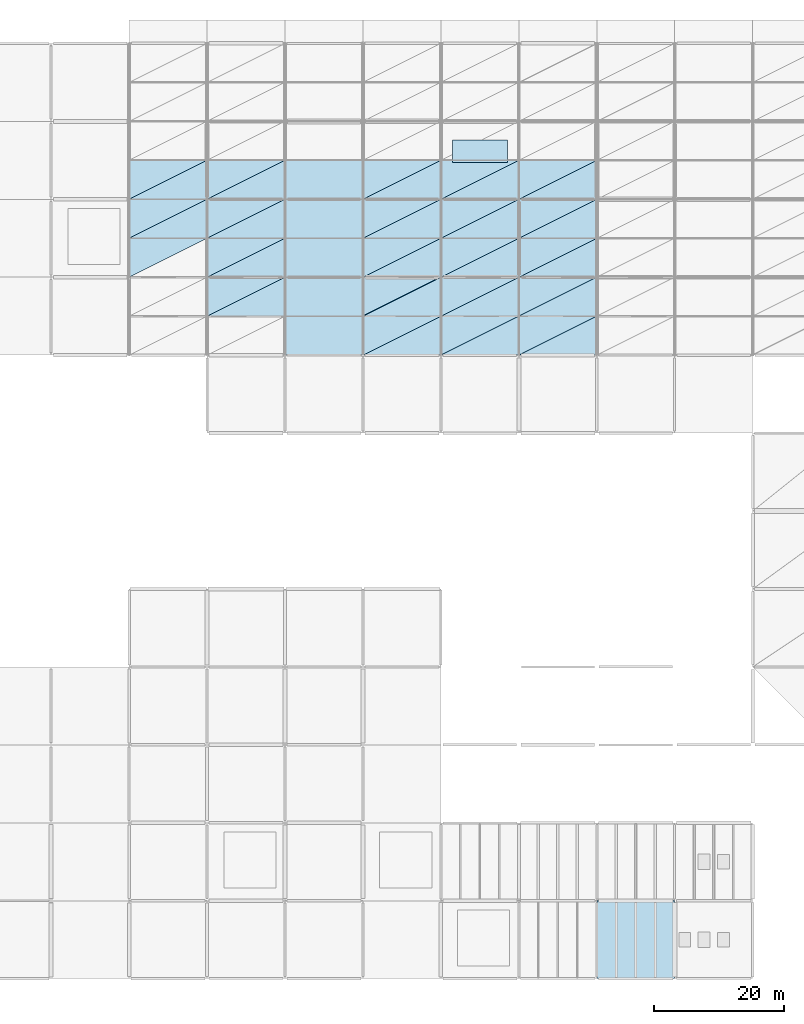
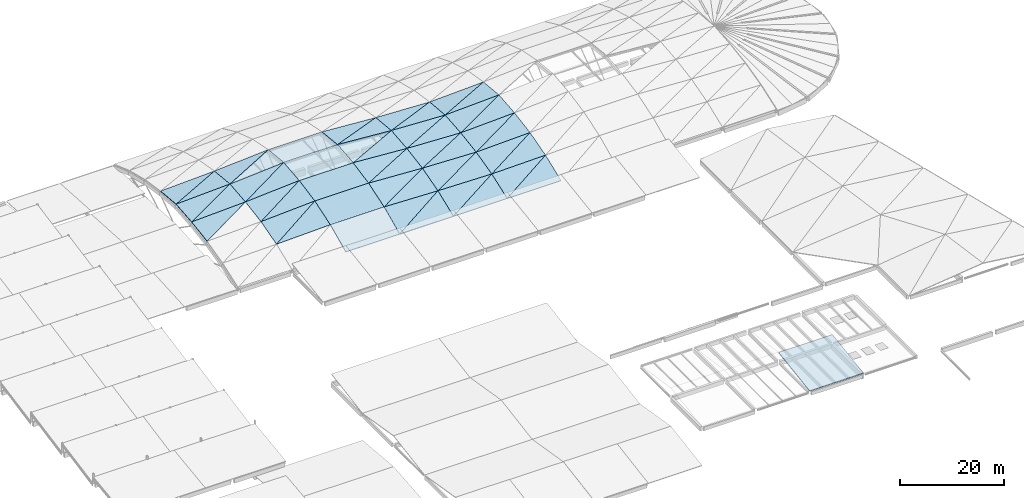
# One storey, part 19 of 23: 50 slabs, 2 elements without a shape of their own.
"""IFC4 building model written with IfcOpenShell, lengths in metres."""

from ifc_helpers import new_model, si_unit, direction, frame, origin, place, context, subcontext, project, spatial, polyline, outline, extrude, material, layer, layer_set, type_object, element, aggregate, save


model = new_model("IFC4")

# Units and contexts
model_context = context("Model", 3, precision=1e-05, world=origin(), true_north=direction((0.0, 1.0)))
body_context = subcontext(model_context, "Body", "Model", "MODEL_VIEW")
ifc_project = project(units=[si_unit("LENGTHUNIT", "METRE"), si_unit("AREAUNIT", "SQUARE_METRE"), si_unit("VOLUMEUNIT", "CUBIC_METRE"), si_unit("PLANEANGLEUNIT", "RADIAN"), si_unit("MASSUNIT", "GRAM", prefix="KILO")], contexts=[model_context])

# Site, building, storey
site_placement = place(None, origin())
site = spatial("IfcSite", under=ifc_project, at=site_placement, CompositionType="ELEMENT")
building_placement = place(site_placement, origin())
building = spatial("IfcBuilding", under=site, at=building_placement, Name="Kamomehara Wholesale Market", CompositionType="ELEMENT")
storey_placement = place(building_placement, frame((0.0, 0.0, 21.0)))
storey = spatial("IfcBuildingStorey", under=building, at=storey_placement, Name="RF", CompositionType="ELEMENT", Elevation=21.0)

# Roof, slabs
ifc_material_1 = material(Name="Concrete Fc36 (C35/45)", Category="concrete")
ifc_layer_1 = layer(ifc_material_1, 0.199951171875)
ifc_layer_set_1 = layer_set([ifc_layer_1], Name="Concrete Fc36 (C35/45)")
roof_type_1 = type_object("IfcRoofType", Name="ROOF-SYS-01", PredefinedType="BARREL_ROOF", material=ifc_layer_set_1)
roof_1_placement = place(storey_placement, origin())
roof_1 = element("IfcRoof", 1, at=roof_1_placement, inside=storey, type_object=roof_type_1, Name="V1 Wave-Barrel Concrete Shell Roof", PredefinedType="BARREL_ROOF")
ifc_material_2 = material(Name="Concrete Fc36 (C35/45)", Category="concrete")
ifc_layer_2 = layer(ifc_material_2, 0.179931640625)
ifc_layer_set_2 = layer_set([ifc_layer_2], Name="Concrete Fc36 (C35/45)")
slab_type_1 = type_object("IfcSlabType", Name="SLB-SHL-180", PredefinedType="ROOF", material=ifc_layer_set_2)
slab_1_placement = place(storey_placement, frame((60.0, 120.0, -5.012939453125), z_axis=(-0.042645327452, -0.149801258637, 0.987796010802), x_axis=(0.889403592225, 0.444701796112, 0.105837435118)))
slab_1 = element("IfcSlab", 2, at=slab_1_placement, type_object=slab_type_1, Name="Concrete shell roof facet V1 6", PredefinedType="ROOF", context=body_context, shape_type="SweptSolid", body=[
    extrude(outline(polyline([(0.0, 0.0), (13.492187466867135, -6.106226635438361e-16), (2.76451354051304, 5.402351796311244), (0.0, 0.0)])), origin(), (0.0, 0.0, -1.0), 0.179931640625),
])
slab_2_placement = place(storey_placement, frame((60.0, 126.0, -4.10302734375), z_axis=(-0.042926839379, -0.097424909731, 0.994316686687), x_axis=(0.999069381242, 0.0, 0.043132023661)))
slab_2 = element("IfcSlab", 3, at=slab_2_placement, type_object=slab_type_1, Name="Concrete shell roof facet V1 7", PredefinedType="ROOF", context=body_context, shape_type="SweptSolid", body=[
    extrude(outline(polyline([(0.0, 0.0), (12.011177827394148, 1.3877787807814457e-17), (12.036534739741843, 6.028679159978501), (0.0, 0.0)])), origin(), (0.0, 0.0, -1.0), 0.179931640625),
])
slab_3_placement = place(storey_placement, frame((60.0, 126.0, -4.10302734375), z_axis=(-0.045838837587, -0.091677675173, 0.994733132475), x_axis=(0.891403673287, 0.445701836643, 0.082154513346)))
slab_3 = element("IfcSlab", 4, at=slab_3_placement, type_object=slab_type_1, Name="Concrete shell roof facet V1 8", PredefinedType="ROOF", context=body_context, shape_type="SweptSolid", body=[
    extrude(outline(polyline([(0.0, 0.0), (13.4619144609885, -6.245004513516506e-16), (2.719640700702929, 5.376740620285018), (0.0, 0.0)])), origin(), (0.0, 0.0, -1.0), 0.179931640625),
])
slab_4_placement = place(storey_placement, frame((60.0, 132.0, -3.550048828125), z_axis=(-0.045813766695, 0.097412406359, 0.994189077524), x_axis=(0.998939933695, 0.0, 0.046032693478)))
slab_4 = element("IfcSlab", 5, at=slab_4_placement, type_object=slab_type_1, Name="Concrete shell roof facet V1 9", PredefinedType="ROOF", context=body_context, shape_type="SweptSolid", body=[
    extrude(outline(polyline([(0.0, 0.0), (12.012734294853226, 6.938893903907228e-18), (11.98567210591414, 6.028671746321301), (0.0, 0.0)])), origin(), (0.0, 0.0, -1.0), 0.179931640625),
])
slab_5_placement = place(storey_placement, frame((60.0, 132.0, -3.550048828125), z_axis=(-0.042950336479, 0.091689455348, 0.994860951276), x_axis=(0.894424162745, 0.447212081372, -0.002602186183)))
slab_5 = element("IfcSlab", 6, at=slab_5_placement, type_object=slab_type_1, Name="Concrete shell roof facet V1 10", PredefinedType="ROOF", context=body_context, shape_type="SweptSolid", body=[
    extrude(outline(polyline([(0.0, 0.0), (13.416453288979953, 2.693158196453993e-16), (2.684711441287182, 5.394266374194412), (0.0, 0.0)])), origin(), (0.0, 0.0, -1.0), 0.179931640625),
])
slab_6_placement = place(storey_placement, frame((108.0, 108.0, -8.64990234375), z_axis=(0.0, -0.333403982305, 0.942784060421), x_axis=(1.0, 0.0, 0.0)))
slab_6 = element("IfcSlab", 7, at=slab_6_placement, type_object=slab_type_1, Name="Concrete shell roof facet V1 57", PredefinedType="ROOF", context=body_context, shape_type="SweptSolid", body=[
    extrude(outline(polyline([(0.0, 0.0), (12.0, 0.0), (12.0, 6.364129657985742), (0.0, 0.0)])), origin(), (0.0, 0.0, -1.0), 0.179931640625),
])
slab_7_placement = place(storey_placement, frame((108.0, 108.0, -8.64990234375), z_axis=(0.01877406137, -0.366510556951, 0.930224460151), x_axis=(0.883447070008, 0.441723535004, 0.156210092884)))
slab_7 = element("IfcSlab", 8, at=slab_7_placement, type_object=slab_type_1, Name="Concrete shell roof facet V1 58", PredefinedType="ROOF", context=body_context, shape_type="SweptSolid", body=[
    extrude(outline(polyline([(0.0, 0.0), (13.583156713505653, -4.440892098500626e-16), (3.019624005285362, 5.698283207029668), (0.0, 0.0)])), origin(), (0.0, 0.0, -1.0), 0.179931640625),
])
slab_8_placement = place(storey_placement, frame((108.0, 114.0, -6.285888671875), z_axis=(0.019564282951, -0.244790201603, 0.969378664935), x_axis=(0.999796399748, 0.0, -0.020178182547)))
slab_8 = element("IfcSlab", 9, at=slab_8_placement, type_object=slab_type_1, Name="Concrete shell roof facet V1 59", PredefinedType="ROOF", context=body_context, shape_type="SweptSolid", body=[
    extrude(outline(polyline([(0.0, 0.0), (12.002443700561829, -1.3877787807814457e-17), (11.971870995267231, 6.188271534620592), (0.0, 0.0)])), origin(), (0.0, 0.0, -1.0), 0.179931640625),
])
slab_9_placement = place(storey_placement, frame((108.0, 114.0, -6.285888671875), z_axis=(0.033275667811, -0.270668196763, 0.96209742604), x_axis=(0.890428254859, 0.44521412743, 0.094455829281)))
slab_9 = element("IfcSlab", 10, at=slab_9_placement, type_object=slab_type_1, Name="Concrete shell roof facet V1 60", PredefinedType="ROOF", context=body_context, shape_type="SweptSolid", body=[
    extrude(outline(polyline([(0.0, 0.0), (13.47666129697991, 4.440892098500626e-16), (2.8307250975006237, 5.553044197556635), (0.0, 0.0)])), origin(), (0.0, 0.0, -1.0), 0.179931640625),
])
slab_10_placement = place(storey_placement, frame((108.0, 120.0, -4.597900390625), z_axis=(0.034175627197, -0.149850073603, 0.988117898809), x_axis=(0.999402420026, 0.0, -0.034565920289)))
slab_10 = element("IfcSlab", 11, at=slab_10_placement, type_object=slab_type_1, Name="Concrete shell roof facet V1 61", PredefinedType="ROOF", context=body_context, shape_type="SweptSolid", body=[
    extrude(outline(polyline([(0.0, 0.0), (12.007175247467694, 1.3877787807814457e-17), (11.975723298025043, 6.068521304375845), (0.0, 0.0)])), origin(), (0.0, 0.0, -1.0), 0.179931640625),
])
slab_11_placement = place(storey_placement, frame((108.0, 120.0, -4.597900390625), z_axis=(0.042531295358, -0.166317007011, 0.985154679273), x_axis=(0.893819353892, 0.446909676946, 0.036860592251)))
slab_11 = element("IfcSlab", 12, at=slab_11_placement, type_object=slab_type_1, Name="Concrete shell roof facet V1 62", PredefinedType="ROOF", context=body_context, shape_type="SweptSolid", body=[
    extrude(outline(polyline([(0.0, 0.0), (13.42553162197026, 0.0), (2.7187956098315857, 5.44373004176894), (0.0, 0.0)])), origin(), (0.0, 0.0, -1.0), 0.179931640625),
])
slab_12_placement = place(storey_placement, frame((108.0, 126.0, -3.5849609375), z_axis=(0.042950336479, -0.091689455348, 0.994860951276), x_axis=(0.999069381242, 0.0, -0.043132023661)))
slab_12 = element("IfcSlab", 13, at=slab_12_placement, type_object=slab_type_1, Name="Concrete shell roof facet V1 63", PredefinedType="ROOF", context=body_context, shape_type="SweptSolid", body=[
    extrude(outline(polyline([(0.0, 0.0), (12.011177827394148, -6.938893903907228e-18), (11.987326744974077, 6.025381014061287), (0.0, 0.0)])), origin(), (0.0, 0.0, -1.0), 0.179931640625),
])
slab_13_placement = place(storey_placement, frame((108.0, 126.0, -3.5849609375), z_axis=(0.045813766695, -0.097412406359, 0.994189077524), x_axis=(0.894424162745, 0.447212081372, 0.002602186183)))
slab_13 = element("IfcSlab", 14, at=slab_13_placement, type_object=slab_type_1, Name="Concrete shell roof facet V1 64", PredefinedType="ROOF", context=body_context, shape_type="SweptSolid", body=[
    extrude(outline(polyline([(0.0, 0.0), (13.416453288979953, -4.809520837145698e-16), (2.684802289095821, 5.397911823606304), (0.0, 0.0)])), origin(), (0.0, 0.0, -1.0), 0.179931640625),
])
slab_14_placement = place(storey_placement, frame((108.0, 132.0, -2.9970703125), z_axis=(0.045838837587, 0.091677675173, 0.994733132475), x_axis=(0.998939933695, 0.0, -0.046032693478)))
slab_14 = element("IfcSlab", 15, at=slab_14_placement, type_object=slab_type_1, Name="Concrete shell roof facet V1 65", PredefinedType="ROOF", context=body_context, shape_type="SweptSolid", body=[
    extrude(outline(polyline([(0.0, 0.0), (12.012734294853226, 0.0), (12.03818938536279, 6.025374451194713), (0.0, 0.0)])), origin(), (0.0, 0.0, -1.0), 0.179931640625),
])
slab_15_placement = place(storey_placement, frame((108.0, 132.0, -2.9970703125), z_axis=(0.042926839379, 0.097424909731, 0.994316686687), x_axis=(0.891403673287, 0.445701836643, -0.082154513346)))
slab_15 = element("IfcSlab", 16, at=slab_15_placement, type_object=slab_type_1, Name="Concrete shell roof facet V1 66", PredefinedType="ROOF", context=body_context, shape_type="SweptSolid", body=[
    extrude(outline(polyline([(0.0, 0.0), (13.4619144609885, -1.5265566588595902e-16), (2.7225088880585195, 5.378992539630935), (0.0, 0.0)])), origin(), (0.0, 0.0, -1.0), 0.179931640625),
])
ifc_material_3 = material(Name="Concrete Fc36 (C35/45)", Category="concrete")
ifc_layer_3 = layer(ifc_material_3, 0.195068359375)
ifc_layer_set_3 = layer_set([ifc_layer_3], Name="Concrete Fc36 (C35/45)")
slab_type_2 = type_object("IfcSlabType", Name="SLB-SHL-195", PredefinedType="ROOF", material=ifc_layer_set_3)
slab_16_placement = place(storey_placement, frame((72.0, 114.0, -6.285888671875), z_axis=(-0.030935241972, -0.311516534082, 0.949737047712), x_axis=(0.999469940198, 0.0, 0.03255516305)))
slab_16 = element("IfcSlab", 17, at=slab_16_placement, type_object=slab_type_2, Name="Concrete shell roof facet V1 19", PredefinedType="ROOF", context=body_context, shape_type="SweptSolid", body=[
    extrude(outline(polyline([(0.0, 0.0), (12.006364090976625, -1.3877787807814457e-17), (12.070433224118666, 6.314189443941908), (0.0, 0.0)])), origin(), (0.0, 0.0, -1.0), 0.195068359375),
])
slab_17_placement = place(storey_placement, frame((72.0, 114.0, -6.285888671875), z_axis=(-0.05374116883, -0.270426813168, 0.961239421524), x_axis=(0.880914944476, 0.440457472238, 0.173164880239)))
slab_17 = element("IfcSlab", 18, at=slab_17_placement, type_object=slab_type_2, Name="Concrete shell roof facet V1 20", PredefinedType="ROOF", context=body_context, shape_type="SweptSolid", body=[
    extrude(outline(polyline([(0.0, 0.0), (13.622200503292232, -6.661338147750939e-16), (2.93504512199651, 5.498619333021866), (0.0, 0.0)])), origin(), (0.0, 0.0, -1.0), 0.195068359375),
])
slab_18_placement = place(storey_placement, frame((72.0, 120.0, -4.597900390625), z_axis=(-0.054775148206, -0.192669789867, 0.979733655241), x_axis=(0.998440790708, 0.0, 0.055821030535)))
slab_18 = element("IfcSlab", 19, at=slab_18_placement, type_object=slab_type_2, Name="Concrete shell roof facet V1 21", PredefinedType="ROOF", context=body_context, shape_type="SweptSolid", body=[
    extrude(outline(polyline([(0.0, 0.0), (12.01873973066394, -2.7755575615628914e-17), (12.084604730804717, 6.114564618867352), (0.0, 0.0)])), origin(), (0.0, 0.0, -1.0), 0.195068359375),
])
slab_19_placement = place(storey_placement, frame((72.0, 120.0, -4.597900390625), z_axis=(-0.068687348331, -0.166074480319, 0.983718107572), x_axis=(0.886035871948, 0.443017935974, 0.136658486842)))
slab_19 = element("IfcSlab", 20, at=slab_19_placement, type_object=slab_type_2, Name="Concrete shell roof facet V1 22", PredefinedType="ROOF", context=body_context, shape_type="SweptSolid", body=[
    extrude(outline(polyline([(0.0, 0.0), (13.543469717103228, 8.326672684688674e-17), (2.7965343887714, 5.404205931320174), (0.0, 0.0)])), origin(), (0.0, 0.0, -1.0), 0.195068359375),
])
slab_20_placement = place(storey_placement, frame((72.0, 126.0, -3.5849609375), z_axis=(-0.069258696211, -0.106471119233, 0.991900768106), x_axis=(0.997571166828, 0.0, 0.069654627371)))
slab_20 = element("IfcSlab", 21, at=slab_20_placement, type_object=slab_type_2, Name="Concrete shell roof facet V1 23", PredefinedType="ROOF", context=body_context, shape_type="SweptSolid", body=[
    extrude(outline(polyline([(0.0, 0.0), (12.029216961193397, -1.3877787807814457e-17), (12.07407753419276, 6.0343001975860036), (0.0, 0.0)])), origin(), (0.0, 0.0, -1.0), 0.195068359375),
])
slab_21_placement = place(storey_placement, frame((72.0, 126.0, -3.5849609375), z_axis=(-0.073945504694, -0.09724782922, 0.992509406528), x_axis=(0.889020295126, 0.444510147563, 0.109789086739)))
slab_21 = element("IfcSlab", 22, at=slab_21_placement, type_object=slab_type_2, Name="Concrete shell roof facet V1 24", PredefinedType="ROOF", context=body_context, shape_type="SweptSolid", body=[
    extrude(outline(polyline([(0.0, 0.0), (13.498004562759817, -5.689893001203927e-16), (2.7316048602001257, 5.374379059453653), (0.0, 0.0)])), origin(), (0.0, 0.0, -1.0), 0.195068359375),
])
slab_22_placement = place(storey_placement, frame((72.0, 132.0, -2.9970703125), z_axis=(-0.073875619091, 0.106435763606, 0.99157138983), x_axis=(0.997236109241, 0.0, 0.074297660971)))
slab_22 = element("IfcSlab", 23, at=slab_22_placement, type_object=slab_type_2, Name="Concrete shell roof facet V1 25", PredefinedType="ROOF", context=body_context, shape_type="SweptSolid", body=[
    extrude(outline(polyline([(0.0, 0.0), (12.03325861227836, -1.3877787807814457e-17), (11.985407726135493, 6.0342772258400315), (0.0, 0.0)])), origin(), (0.0, 0.0, -1.0), 0.195068359375),
])
slab_23_placement = place(storey_placement, frame((72.0, 132.0, -2.9970703125), z_axis=(-0.069324257846, 0.097280193994, 0.992839720766), x_axis=(0.894271948928, 0.447135974464, 0.018630665603)))
slab_23 = element("IfcSlab", 24, at=slab_23_placement, type_object=slab_type_2, Name="Concrete shell roof facet V1 26", PredefinedType="ROOF", context=body_context, shape_type="SweptSolid", body=[
    extrude(outline(polyline([(0.0, 0.0), (13.418736900319645, -1.8735013540549517e-16), (2.6718630531384786, 5.404328192498715), (0.0, 0.0)])), origin(), (0.0, 0.0, -1.0), 0.195068359375),
])
slab_24_placement = place(storey_placement, frame((120.0, 108.0, -8.64990234375), z_axis=(0.0, -0.366575165173, 0.930388439459), x_axis=(1.0, 0.0, 0.0)))
slab_24 = element("IfcSlab", 25, at=slab_24_placement, type_object=slab_type_2, Name="Concrete shell roof facet V1 73", PredefinedType="ROOF", context=body_context, shape_type="SweptSolid", body=[
    extrude(outline(polyline([(0.0, 0.0), (12.0, 0.0), (12.0, 6.448919338990984), (0.0, 0.0)])), origin(), (0.0, 0.0, -1.0), 0.195068359375),
])
slab_25_placement = place(storey_placement, frame((120.0, 108.0, -8.64990234375), z_axis=(-0.019024099385, -0.333343644667, 0.942613440495), x_axis=(0.880857475286, 0.440428737643, 0.173529926212)))
slab_25 = element("IfcSlab", 26, at=slab_25_placement, type_object=slab_type_2, Name="Concrete shell roof facet V1 74", PredefinedType="ROOF", context=body_context, shape_type="SweptSolid", body=[
    extrude(outline(polyline([(0.0, 0.0), (13.623089247333438, -2.220446049250313e-16), (3.010772764898616, 5.606905890221313), (0.0, 0.0)])), origin(), (0.0, 0.0, -1.0), 0.195068359375),
])
slab_26_placement = place(storey_placement, frame((120.0, 114.0, -6.528076171875), z_axis=(-0.019424424379, -0.270767076931, 0.962448898273), x_axis=(0.999796399748, 0.0, 0.020178182547)))
slab_26 = element("IfcSlab", 27, at=slab_26_placement, type_object=slab_type_2, Name="Concrete shell roof facet V1 75", PredefinedType="ROOF", context=body_context, shape_type="SweptSolid", body=[
    extrude(outline(polyline([(0.0, 0.0), (12.002443700561829, 0.0), (12.036504236238084, 6.232827955073587), (0.0, 0.0)])), origin(), (0.0, 0.0, -1.0), 0.195068359375),
])
slab_27_placement = place(storey_placement, frame((120.0, 114.0, -6.528076171875), z_axis=(-0.033515080423, -0.244699516596, 0.969019548803), x_axis=(0.885312169823, 0.442656084911, 0.142400675753)))
slab_27 = element("IfcSlab", 28, at=slab_27_placement, type_object=slab_type_2, Name="Concrete shell roof facet V1 76", PredefinedType="ROOF", context=body_context, shape_type="SweptSolid", body=[
    extrude(outline(polyline([(0.0, 0.0), (13.554540882911677, 4.996003610813204e-16), (2.8716930020762463, 5.481698512170369), (0.0, 0.0)])), origin(), (0.0, 0.0, -1.0), 0.195068359375),
])
slab_28_placement = place(storey_placement, frame((120.0, 120.0, -5.012939453125), z_axis=(-0.034084183452, -0.166370914285, 0.985473991193), x_axis=(0.999402420026, 0.0, 0.034565920289)))
slab_28 = element("IfcSlab", 29, at=slab_28_placement, type_object=slab_type_2, Name="Concrete shell roof facet V1 77", PredefinedType="ROOF", context=body_context, shape_type="SweptSolid", body=[
    extrude(outline(polyline([(0.0, 0.0), (12.007175247467694, 0.0), (12.042188431861995, 6.084802413605207), (0.0, 0.0)])), origin(), (0.0, 0.0, -1.0), 0.195068359375),
])
slab_29_placement = place(storey_placement, frame((120.0, 120.0, -5.012939453125), z_axis=(-0.042645327452, -0.149801258637, 0.987796010802), x_axis=(0.889403592225, 0.444701796112, 0.105837435118)))
slab_29 = element("IfcSlab", 30, at=slab_29_placement, type_object=slab_type_2, Name="Concrete shell roof facet V1 78", PredefinedType="ROOF", context=body_context, shape_type="SweptSolid", body=[
    extrude(outline(polyline([(0.0, 0.0), (13.492187466867135, -6.106226635438361e-16), (2.76451354051304, 5.402351796311244), (0.0, 0.0)])), origin(), (0.0, 0.0, -1.0), 0.195068359375),
])
slab_30_placement = place(storey_placement, frame((120.0, 126.0, -4.10302734375), z_axis=(-0.042926839379, -0.097424909731, 0.994316686687), x_axis=(0.999069381242, 0.0, 0.043132023661)))
slab_30 = element("IfcSlab", 31, at=slab_30_placement, type_object=slab_type_2, Name="Concrete shell roof facet V1 79", PredefinedType="ROOF", context=body_context, shape_type="SweptSolid", body=[
    extrude(outline(polyline([(0.0, 0.0), (12.011177827394148, 1.3877787807814457e-17), (12.036534739741843, 6.028679159978501), (0.0, 0.0)])), origin(), (0.0, 0.0, -1.0), 0.195068359375),
])
slab_31_placement = place(storey_placement, frame((120.0, 126.0, -4.10302734375), z_axis=(-0.045838837587, -0.091677675173, 0.994733132475), x_axis=(0.891403673287, 0.445701836643, 0.082154513346)))
slab_31 = element("IfcSlab", 32, at=slab_31_placement, type_object=slab_type_2, Name="Concrete shell roof facet V1 80", PredefinedType="ROOF", context=body_context, shape_type="SweptSolid", body=[
    extrude(outline(polyline([(0.0, 0.0), (13.4619144609885, -6.245004513516506e-16), (2.719640700702929, 5.376740620285018), (0.0, 0.0)])), origin(), (0.0, 0.0, -1.0), 0.195068359375),
])
slab_32_placement = place(storey_placement, frame((120.0, 132.0, -3.550048828125), z_axis=(-0.045813766695, 0.097412406359, 0.994189077524), x_axis=(0.998939933695, 0.0, 0.046032693478)))
slab_32 = element("IfcSlab", 33, at=slab_32_placement, type_object=slab_type_2, Name="Concrete shell roof facet V1 81", PredefinedType="ROOF", context=body_context, shape_type="SweptSolid", body=[
    extrude(outline(polyline([(0.0, 0.0), (12.012734294853226, 6.938893903907228e-18), (11.98567210591414, 6.028671746321301), (0.0, 0.0)])), origin(), (0.0, 0.0, -1.0), 0.195068359375),
])
slab_33_placement = place(storey_placement, frame((120.0, 132.0, -3.550048828125), z_axis=(-0.042950336479, 0.091689455348, 0.994860951276), x_axis=(0.894424162745, 0.447212081372, -0.002602186183)))
slab_33 = element("IfcSlab", 34, at=slab_33_placement, type_object=slab_type_2, Name="Concrete shell roof facet V1 82", PredefinedType="ROOF", context=body_context, shape_type="SweptSolid", body=[
    extrude(outline(polyline([(0.0, 0.0), (13.416453288979953, 2.693158196453993e-16), (2.684711441287182, 5.394266374194412), (0.0, 0.0)])), origin(), (0.0, 0.0, -1.0), 0.195068359375),
])
ifc_material_4 = material(Name="Concrete Fc36 (C35/45)", Category="concrete")
ifc_layer_4 = layer(ifc_material_4, 0.2099609375)
ifc_layer_set_4 = layer_set([ifc_layer_4], Name="Concrete Fc36 (C35/45)")
slab_type_3 = type_object("IfcSlabType", Name="SLB-SHL-210", PredefinedType="ROOF", material=ifc_layer_set_4)
slab_34_placement = place(storey_placement, frame((84.0, 108.0, -8.64990234375), z_axis=(0.0, -0.417265796716, 0.908784493096), x_axis=(1.0, 0.0, 0.0)))
slab_34 = element("IfcSlab", 35, at=slab_34_placement, type_object=slab_type_3, Name="Concrete shell roof strip V1 33", PredefinedType="ROOF", context=body_context, shape_type="SweptSolid", body=[
    extrude(outline(polyline([(0.0, 0.0), (12.0, 0.0), (12.0, 6.602225330190413), (0.0, 6.602225330190413), (0.0, 0.0)])), origin(), (0.0, 0.0, -1.0), 0.2099609375),
])
slab_35_placement = place(storey_placement, frame((84.0, 114.0, -5.89501953125), z_axis=(0.0, -0.311665700132, 0.950191818193), x_axis=(1.0, 0.0, 0.0)))
slab_35 = element("IfcSlab", 36, at=slab_35_placement, type_object=slab_type_3, Name="Concrete shell roof strip V1 34", PredefinedType="ROOF", context=body_context, shape_type="SweptSolid", body=[
    extrude(outline(polyline([(0.0, 0.0), (12.0, 0.0), (12.0, 6.3145144855173925), (0.0, 6.3145144855173925), (0.0, 0.0)])), origin(), (0.0, 0.0, -1.0), 0.2099609375),
])
slab_36_placement = place(storey_placement, frame((84.0, 120.0, -3.927001953125), z_axis=(0.0, -0.192959477105, 0.981206726534), x_axis=(1.0, 0.0, 0.0)))
slab_36 = element("IfcSlab", 37, at=slab_36_placement, type_object=slab_type_3, Name="Concrete shell roof strip V1 35", PredefinedType="ROOF", context=body_context, shape_type="SweptSolid", body=[
    extrude(outline(polyline([(0.0, 0.0), (12.0, 0.0), (12.0, 6.114919351598024), (0.0, 6.114919351598024), (0.0, 0.0)])), origin(), (0.0, 0.0, -1.0), 0.2099609375),
])
slab_37_placement = place(storey_placement, frame((84.0, 126.0, -2.7470703125), z_axis=(0.0, -0.106727400168, 0.994288319379), x_axis=(1.0, 0.0, 0.0)))
slab_37 = element("IfcSlab", 38, at=slab_37_placement, type_object=slab_type_3, Name="Concrete shell roof strip V1 36", PredefinedType="ROOF", context=body_context, shape_type="SweptSolid", body=[
    extrude(outline(polyline([(0.0, 0.0), (12.0, 0.0), (12.0, 6.034466947924756), (0.0, 6.034466947924756), (0.0, 0.0)])), origin(), (0.0, 0.0, -1.0), 0.2099609375),
])
slab_38_placement = place(storey_placement, frame((84.0, 132.0, -2.10302734375), z_axis=(0.0, 0.106727400168, 0.994288319379), x_axis=(1.0, 0.0, 0.0)))
slab_38 = element("IfcSlab", 39, at=slab_38_placement, type_object=slab_type_3, Name="Concrete shell roof strip V1 37", PredefinedType="ROOF", context=body_context, shape_type="SweptSolid", body=[
    extrude(outline(polyline([(0.0, 0.0), (12.0, 0.0), (12.0, 6.034466947924756), (0.0, 6.034466947924756), (0.0, 0.0)])), origin(), (0.0, 0.0, -1.0), 0.2099609375),
])

# Roof, slab
ifc_material_5 = material(Name="Concrete Fc36 (C35/45)", Category="concrete")
ifc_layer_5 = layer(ifc_material_5, 0.199951171875)
ifc_layer_set_5 = layer_set([ifc_layer_5], Name="Concrete Fc36 (C35/45)")
roof_type_2 = type_object("IfcRoofType", Name="ROOF-SYS-05", PredefinedType="GABLE_ROOF", material=ifc_layer_set_5)
roof_2_placement = place(storey_placement, origin())
roof_2 = element("IfcRoof", 40, at=roof_2_placement, inside=storey, type_object=roof_type_2, Name="V5 Boulevard Wing Roof", PredefinedType="GABLE_ROOF")
slab_39_placement = place(storey_placement, frame((132.0, 12.0, 0.0), z_axis=(0.0, -0.148344388372, 0.988935762544), x_axis=(1.0, 0.0, 0.0)))
slab_39 = element("IfcSlab", 41, at=slab_39_placement, type_object=slab_type_3, Name="Boulevard pavilion south roof 3", PredefinedType="ROOF", context=body_context, shape_type="SweptSolid", body=[
    extrude(outline(polyline([(0.0, 0.0), (12.0, 0.0), (12.0, 12.13425629297627), (0.0, 12.13425629297627), (0.0, 0.0)])), origin(), (0.0, 0.0, -1.0), 0.2099609375),
])
aggregate(roof_2, [slab_39])

# Slab
slab_40_placement = place(storey_placement, frame((0.0, 0.0, -9.81005859375)))
element("IfcSlab", 42, at=slab_40_placement, inside=storey, type_object=slab_type_3, Name="Stair enclosure roof slab ST-V1N", PredefinedType="ROOF", context=body_context, shape_type="SweptSolid", body=[
    extrude(outline(polyline([(109.800048828125, 137.639892578125), (118.27001953125, 137.639892578125), (118.27001953125, 141.1201171875), (109.800048828125, 141.1201171875), (109.800048828125, 137.639892578125)])), origin(), (0.0, 0.0, 1.0), 0.2099609375),
])

ifc_material_6 = material(Name="Concrete Fc36 (C35/45)", Category="concrete")
ifc_layer_6 = layer(ifc_material_6, 0.22509765625)
ifc_layer_set_6 = layer_set([ifc_layer_6], Name="Concrete Fc36 (C35/45)")
slab_type_4 = type_object("IfcSlabType", Name="SLB-SHL-225", PredefinedType="ROOF", material=ifc_layer_set_6)
slab_41_placement = place(storey_placement, frame((96.0, 108.0, -8.64990234375), z_axis=(0.0, -0.366575165173, 0.930388439459), x_axis=(1.0, 0.0, 0.0)))
slab_41 = element("IfcSlab", 43, at=slab_41_placement, type_object=slab_type_4, Name="Concrete shell roof facet V1 41", PredefinedType="ROOF", context=body_context, shape_type="SweptSolid", body=[
    extrude(outline(polyline([(0.0, 0.0), (12.0, 0.0), (12.0, 6.448919338990984), (0.0, 0.0)])), origin(), (0.0, 0.0, -1.0), 0.22509765625),
])

slab_42_placement = place(storey_placement, frame((96.0, 108.0, -8.64990234375), z_axis=(0.029588357436, -0.417083104691, 0.908386598803), x_axis=(0.880857475286, 0.440428737643, 0.173529926212)))
slab_42 = element("IfcSlab", 44, at=slab_42_placement, type_object=slab_type_4, Name="Concrete shell roof facet V1 42", PredefinedType="ROOF", context=body_context, shape_type="SweptSolid", body=[
    extrude(outline(polyline([(0.0, 0.0), (13.623089247333438, -8.881784197001252e-16), (3.1206270370345552, 5.818166911178884), (0.0, 0.0)])), origin(), (0.0, 0.0, -1.0), 0.22509765625),
])

slab_43_placement = place(storey_placement, frame((96.0, 114.0, -5.89501953125), z_axis=(0.031339811588, -0.270685143436, 0.962157663448), x_axis=(0.999469940198, 0.0, -0.03255516305)))
slab_43 = element("IfcSlab", 45, at=slab_43_placement, type_object=slab_type_4, Name="Concrete shell roof facet V1 43", PredefinedType="ROOF", context=body_context, shape_type="SweptSolid", body=[
    extrude(outline(polyline([(0.0, 0.0), (12.006364090976625, 0.0), (11.951411357253257, 6.232678768771391), (0.0, 0.0)])), origin(), (0.0, 0.0, -1.0), 0.22509765625),
])

slab_44_placement = place(storey_placement, frame((96.0, 114.0, -5.89501953125), z_axis=(0.053048715313, -0.311226851628, 0.948853877386), x_axis=(0.890276020444, 0.445138010222, 0.09623283888)))
slab_44 = element("IfcSlab", 46, at=slab_44_placement, type_object=slab_type_4, Name="Concrete shell roof facet V1 44", PredefinedType="ROOF", context=body_context, shape_type="SweptSolid", body=[
    extrude(outline(polyline([(0.0, 0.0), (13.478965763921792, 5.551115123125783e-17), (2.8602159798390367, 5.629587705727872), (0.0, 0.0)])), origin(), (0.0, 0.0, -1.0), 0.22509765625),
])

slab_45_placement = place(storey_placement, frame((96.0, 120.0, -3.927001953125), z_axis=(0.05504453171, -0.166215256234, 0.984551973297), x_axis=(0.998440790708, 0.0, -0.055821030535)))
slab_45 = element("IfcSlab", 47, at=slab_45_placement, type_object=slab_type_4, Name="Concrete shell roof facet V1 45", PredefinedType="ROOF", context=body_context, shape_type="SweptSolid", body=[
    extrude(outline(polyline([(0.0, 0.0), (12.01873973066394, 2.7755575615628914e-17), (11.962196406520743, 6.08464043212021), (0.0, 0.0)])), origin(), (0.0, 0.0, -1.0), 0.22509765625),
])

slab_46_placement = place(storey_placement, frame((96.0, 120.0, -3.927001953125), z_axis=(0.06835176298, -0.192508199583, 0.978911962125), x_axis=(0.894136663514, 0.447068331757, 0.025485951041)))
slab_46 = element("IfcSlab", 48, at=slab_46_placement, type_object=slab_type_4, Name="Concrete shell roof facet V1 46", PredefinedType="ROOF", context=body_context, shape_type="SweptSolid", body=[
    extrude(outline(polyline([(0.0, 0.0), (13.420767193285554, 3.469446951953614e-16), (2.712481670566513, 5.480390667040873), (0.0, 0.0)])), origin(), (0.0, 0.0, -1.0), 0.22509765625),
])

slab_47_placement = place(storey_placement, frame((96.0, 126.0, -2.7470703125), z_axis=(0.069324257846, -0.097280193994, 0.992839720766), x_axis=(0.997571166828, 0.0, -0.069654627371)))
slab_47 = element("IfcSlab", 49, at=slab_47_placement, type_object=slab_type_4, Name="Concrete shell roof facet V1 47", PredefinedType="ROOF", context=body_context, shape_type="SweptSolid", body=[
    extrude(outline(polyline([(0.0, 0.0), (12.029216961193397, 2.7755575615628914e-17), (11.988267658773964, 6.02859341319302), (0.0, 0.0)])), origin(), (0.0, 0.0, -1.0), 0.22509765625),
])

slab_48_placement = place(storey_placement, frame((96.0, 126.0, -2.7470703125), z_axis=(0.073875619091, -0.106435763606, 0.99157138983), x_axis=(0.894271948928, 0.447135974464, -0.018630665603)))
slab_48 = element("IfcSlab", 50, at=slab_48_placement, type_object=slab_type_4, Name="Concrete shell roof facet V1 48", PredefinedType="ROOF", context=body_context, shape_type="SweptSolid", body=[
    extrude(outline(polyline([(0.0, 0.0), (13.418736900319645, -6.245004513516506e-16), (2.6708168975992668, 5.411240933935075), (0.0, 0.0)])), origin(), (0.0, 0.0, -1.0), 0.22509765625),
])

slab_49_placement = place(storey_placement, frame((96.0, 132.0, -2.10302734375), z_axis=(0.073945504694, 0.09724782922, 0.992509406528), x_axis=(0.997236109241, 0.0, -0.074297660971)))
slab_49 = element("IfcSlab", 51, at=slab_49_placement, type_object=slab_type_4, Name="Concrete shell roof facet V1 49", PredefinedType="ROOF", context=body_context, shape_type="SweptSolid", body=[
    extrude(outline(polyline([(0.0, 0.0), (12.03325861227836, 0.0), (12.076937510622571, 6.028574254398989), (0.0, 0.0)])), origin(), (0.0, 0.0, -1.0), 0.22509765625),
])

slab_50_placement = place(storey_placement, frame((96.0, 132.0, -2.10302734375), z_axis=(0.069258696211, 0.106471119233, 0.991900768106), x_axis=(0.889020295126, 0.444510147563, -0.109789086739)))
slab_50 = element("IfcSlab", 52, at=slab_50_placement, type_object=slab_type_4, Name="Concrete shell roof facet V1 50", PredefinedType="ROOF", context=body_context, shape_type="SweptSolid", body=[
    extrude(outline(polyline([(0.0, 0.0), (13.498004562759817, -6.661338147750939e-16), (2.7377697747387164, 5.3776768223949105), (0.0, 0.0)])), origin(), (0.0, 0.0, -1.0), 0.22509765625),
])

aggregate(roof_1, [slab_1, slab_2, slab_3, slab_4, slab_5, slab_16, slab_17, slab_18, slab_19, slab_20, slab_21, slab_22, slab_23, slab_34, slab_35, slab_36, slab_37, slab_38, slab_41, slab_42, slab_43, slab_44, slab_45, slab_46, slab_47, slab_48, slab_49, slab_50, slab_6, slab_7, slab_8, slab_9, slab_10, slab_11, slab_12, slab_13, slab_14, slab_15, slab_24, slab_25, slab_26, slab_27, slab_28, slab_29, slab_30, slab_31, slab_32, slab_33])

save(model, "model.ifc")
